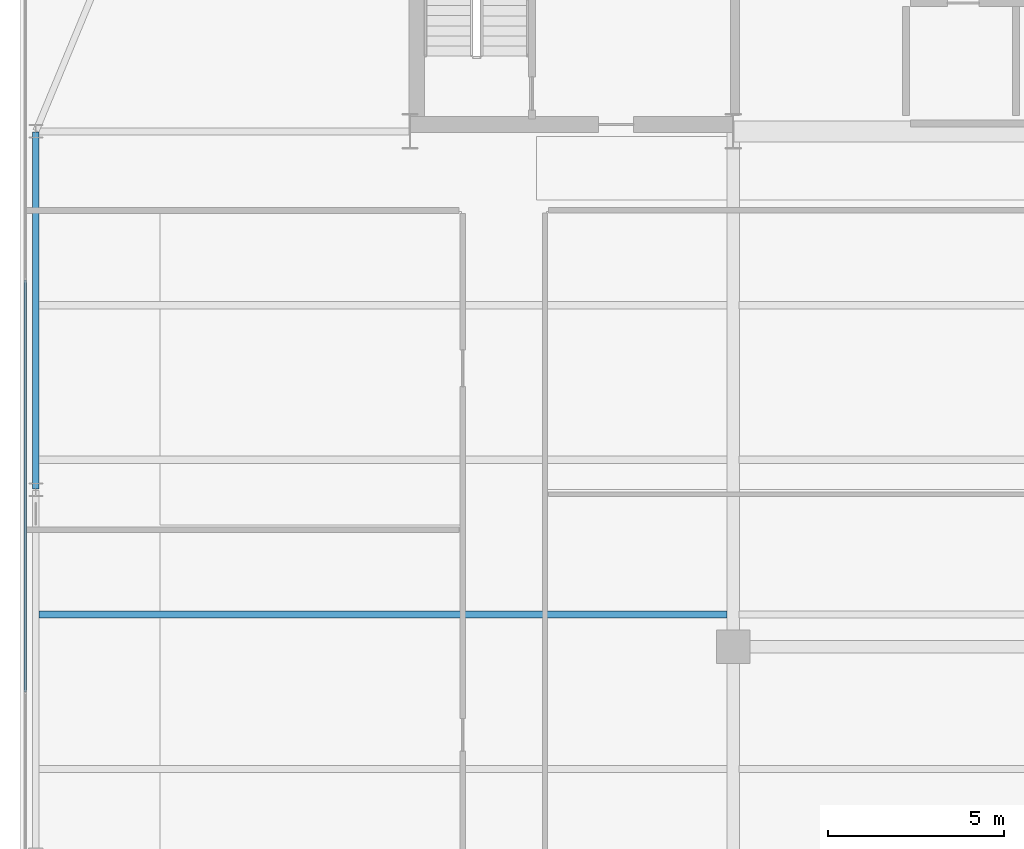
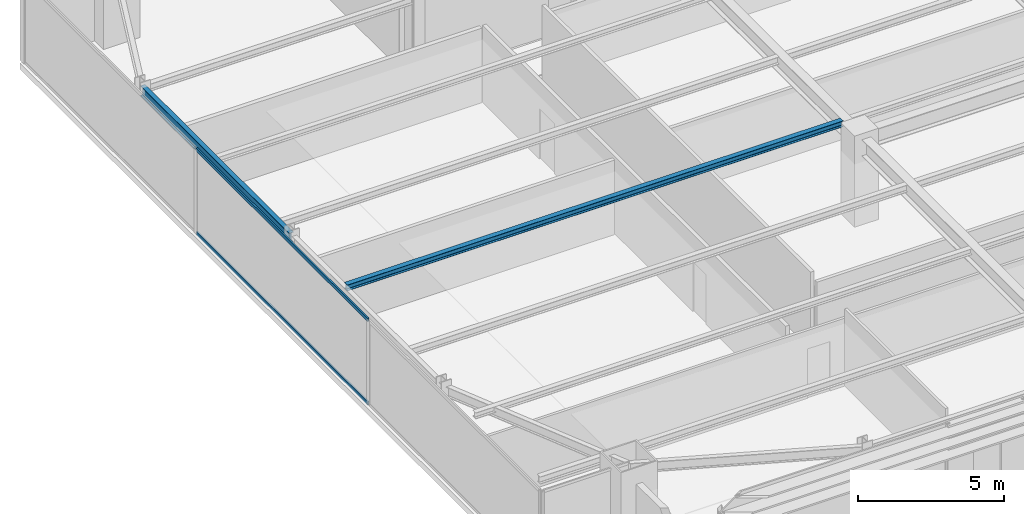
# One storey, part 9 of 34: 2 beams, 2 members, 1 element without a shape of its own.
"""IFC4 building model written with IfcOpenShell, lengths in metres."""

from ifc_helpers import new_model, si_unit, direction, frame, origin, origin_2d, place, context, subcontext, project, spatial, hollow_rectangle, i_section, extrude, source, transform, mapped, material, layer, layer_set, material_profile, profile_set, type_object, type_shapes, element, aggregate, save


model = new_model("IFC4")

# Units and contexts
model_context = context("Model", 3, precision=1e-05, world=origin(), true_north=direction((0.0, 1.0)))
body_context = subcontext(model_context, "Body", "Model", "MODEL_VIEW")
ifc_project = project(units=[si_unit("LENGTHUNIT", "METRE"), si_unit("AREAUNIT", "SQUARE_METRE"), si_unit("VOLUMEUNIT", "CUBIC_METRE"), si_unit("PLANEANGLEUNIT", "RADIAN"), si_unit("MASSUNIT", "GRAM", prefix="KILO")], contexts=[model_context])

# Site, building, storey
site_placement = place(None, origin())
site = spatial("IfcSite", under=ifc_project, at=site_placement, CompositionType="ELEMENT")
building_placement = place(site_placement, origin())
building = spatial("IfcBuilding", under=site, at=building_placement, Name="Varnel Quay Broadcast Tower", CompositionType="ELEMENT")
storey_placement = place(building_placement, frame((0.0, 0.0, 110.60009765625)))
storey = spatial("IfcBuildingStorey", under=building, at=storey_placement, Name="L26", CompositionType="ELEMENT", Elevation=110.60009765625)

# Beams
ifc_material_1 = material(Name="Structural Steel CSA G40.21 350W", Category="steel")
ifc_material_profile_1 = material_profile(ifc_material_1, i_section(OverallWidth=0.180908203125, OverallDepth=0.4169921875, WebThickness=0.010986328125, FlangeThickness=0.018310546875, FilletRadius=0.011962890625, at=origin_2d()), Name="W410X85")
ifc_profile_set_1 = profile_set([ifc_material_profile_1], Name="Structural Steel CSA G40.21 350W")
beam_type_1 = type_object("IfcBeamType", Name="Beam_W410X85", PredefinedType="SPANDREL", material=ifc_profile_set_1)
shared_shape_1 = source(origin(), body_context, "Body", "SweptSolid", [
    extrude(i_section(OverallWidth=0.180908203125, OverallDepth=0.4169921875, WebThickness=0.010986328125, FlangeThickness=0.018310546875, FilletRadius=0.011962890625, at=origin_2d()), origin(), (0.0, 0.0, 1.0), 10.16015625),
])
type_shapes(beam_type_1, [shared_shape_1])
beam_1_placement = place(storey_placement, frame((4.949951171875, 25.419921875, 3.34130859375), z_axis=(0.0, 1.0, 0.0), x_axis=(-1.0, 0.0, 0.0)))
element("IfcBeam", 1, at=beam_1_placement, inside=storey, type_object=beam_type_1, Name="L26 West Spandrel TC-W2-TC-W3", PredefinedType="SPANDREL", context=body_context, shape_type="MappedRepresentation", body=[
    mapped(shared_shape_1, transform((0.0, 0.0, 0.0), x_axis=(1.0, 0.0, 0.0), y_axis=(0.0, 1.0, 0.0), z_axis=(0.0, 0.0, 1.0), scale=1.0)),
])
ifc_material_profile_2 = material_profile(ifc_material_1, i_section(OverallWidth=0.201904296875, OverallDepth=0.2470703125, WebThickness=0.00732421875, FlangeThickness=0.010986328125, FilletRadius=0.010986328125, at=origin_2d()), Name="W250X49")
ifc_profile_set_2 = profile_set([ifc_material_profile_2], Name="Structural Steel CSA G40.21 350W")
beam_type_2 = type_object("IfcBeamType", Name="Beam_W250X49", PredefinedType="JOIST", material=ifc_profile_set_2)
shared_shape_2 = source(origin(), body_context, "Body", "SweptSolid", [
    extrude(i_section(OverallWidth=0.201904296875, OverallDepth=0.2470703125, WebThickness=0.00732421875, FlangeThickness=0.010986328125, FilletRadius=0.010986328125, at=origin_2d()), origin(), (0.0, 0.0, 1.0), 19.592041015625),
])
type_shapes(beam_type_2, [shared_shape_2])
beam_2_placement = place(storey_placement, frame((5.035400390625, 21.85009765625, 3.426513671875), z_axis=(1.0, 0.0, 0.0), x_axis=(0.0, 1.0, 0.0)))
element("IfcBeam", 2, at=beam_2_placement, inside=storey, type_object=beam_type_2, Name="L26 West Floor Joist 4", PredefinedType="JOIST", context=body_context, shape_type="MappedRepresentation", body=[
    mapped(shared_shape_2, transform((0.0, 0.0, 0.0), x_axis=(1.0, 0.0, 0.0), y_axis=(0.0, 1.0, 0.0), z_axis=(0.0, 0.0, 1.0), scale=1.0)),
])

# Curtain wall, members
ifc_material_2 = material(Name="Anodised Bronze Aluminium 6063-T6", Category="aluminium")
ifc_layer = layer(ifc_material_2, 0.18994140625, Name="Anodised Bronze Aluminium 6063-T6")
ifc_layer_set = layer_set([ifc_layer], Name="Anodised Bronze Aluminium 6063-T6")
curtain_wall_type = type_object("IfcCurtainWallType", Name="CW_LowerTower", PredefinedType="NOTDEFINED", material=ifc_layer_set)
curtain_wall_placement = place(storey_placement, origin())
curtain_wall = element("IfcCurtainWall", 3, at=curtain_wall_placement, inside=storey, type_object=curtain_wall_type, Name="L26 West Unitised Curtain Wall", PredefinedType="NOTDEFINED")
ifc_material_profile_3 = material_profile(ifc_material_2, hollow_rectangle(XDim=0.06005859375, YDim=0.14501953125, WallThickness=0.00341796875, at=origin_2d()), Name="ALU60X145X3.5")
ifc_profile_set_3 = profile_set([ifc_material_profile_3], Name="Anodised Bronze Aluminium 6063-T6")
member_type = type_object("IfcMemberType", Name="Tran_CWS-02", PredefinedType="USERDEFINED", material=ifc_profile_set_3)
shared_shape_3 = source(origin(), body_context, "Body", "SweptSolid", [
    extrude(hollow_rectangle(XDim=0.06005859375, YDim=0.14501953125, WallThickness=0.00341796875, at=origin_2d()), origin(), (0.0, 0.0, 1.0), 11.72998046875),
])
type_shapes(member_type, [shared_shape_3])
member_1_placement = place(storey_placement, frame((4.64990234375, 19.635009765625, 0.02978515625), z_axis=(0.0, 1.0, 0.0), x_axis=(-1.0, 0.0, 0.0)))
member_1 = element("IfcMember", 4, at=member_1_placement, type_object=member_type, Name="CWS-02 transom 2.1", ObjectType="TRANSOM", PredefinedType="USERDEFINED", context=body_context, shape_type="MappedRepresentation", body=[
    mapped(shared_shape_3, transform((0.0, 0.0, 0.0), x_axis=(1.0, 0.0, 0.0), y_axis=(0.0, 1.0, 0.0), z_axis=(0.0, 0.0, 1.0), scale=1.0)),
])
member_2_placement = place(storey_placement, frame((4.64990234375, 19.635009765625, 3.52001953125), z_axis=(0.0, 1.0, 0.0), x_axis=(-1.0, 0.0, 0.0)))
member_2 = element("IfcMember", 5, at=member_2_placement, type_object=member_type, Name="CWS-02 transom 2.2", ObjectType="TRANSOM", PredefinedType="USERDEFINED", context=body_context, shape_type="MappedRepresentation", body=[
    mapped(shared_shape_3, transform((0.0, 0.0, 0.0), x_axis=(1.0, 0.0, 0.0), y_axis=(0.0, 1.0, 0.0), z_axis=(0.0, 0.0, 1.0), scale=1.0)),
])
aggregate(curtain_wall, [member_1, member_2])

save(model, "model.ifc")
